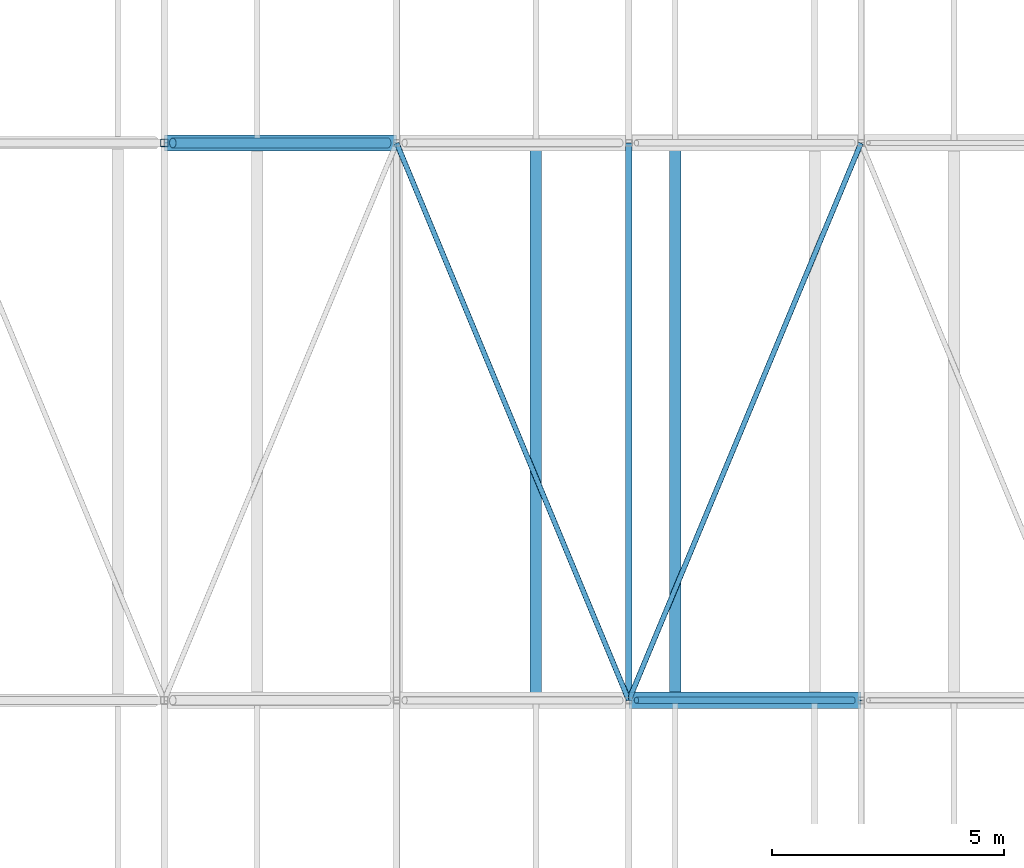
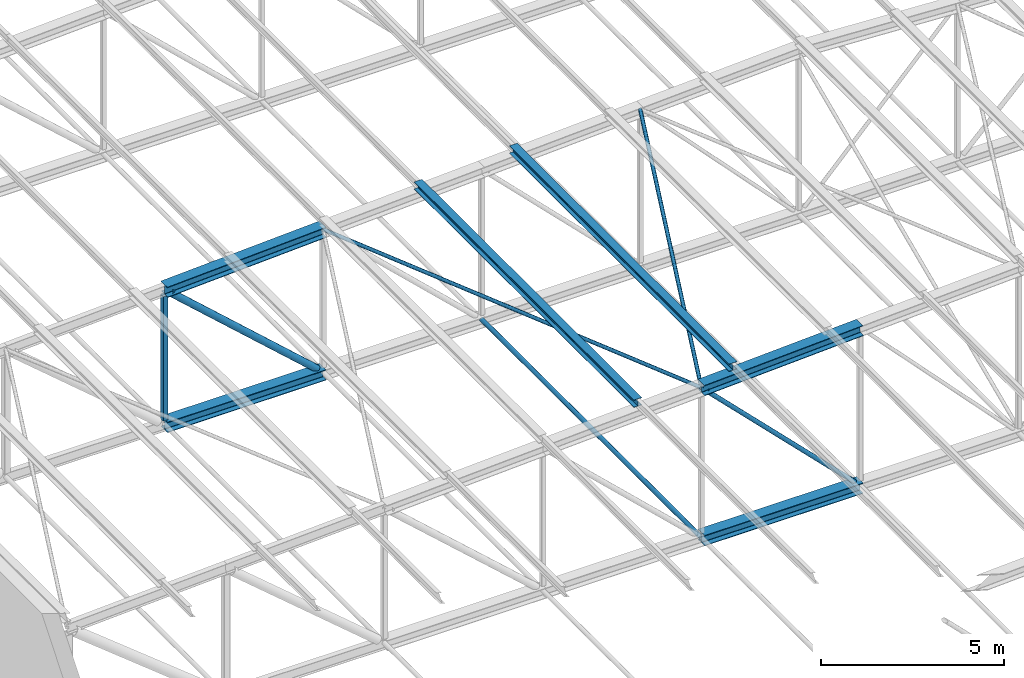
# One storey, part 97 of 156: 12 members.
"""IFC4 building model written with IfcOpenShell, lengths in metres."""

from ifc_helpers import new_model, si_unit, direction, frame, origin, origin_2d, place, context, subcontext, project, spatial, hollow_rectangle, hollow_circle, i_section, extrude, material, material_profile, profile_set, type_object, element, save


model = new_model("IFC4")

# Units and contexts
model_context = context("Model", 3, precision=1e-05, world=origin(), true_north=direction((0.0, 1.0)))
body_context = subcontext(model_context, "Body", "Model", "MODEL_VIEW")
ifc_project = project(units=[si_unit("LENGTHUNIT", "METRE"), si_unit("AREAUNIT", "SQUARE_METRE"), si_unit("VOLUMEUNIT", "CUBIC_METRE"), si_unit("PLANEANGLEUNIT", "RADIAN"), si_unit("MASSUNIT", "GRAM", prefix="KILO")], contexts=[model_context])

# Site, building, storey
site_placement = place(None, origin())
site = spatial("IfcSite", under=ifc_project, at=site_placement, CompositionType="ELEMENT")
building_placement = place(site_placement, origin())
building = spatial("IfcBuilding", under=site, at=building_placement, Name="Lilac Gate Convention Centre", CompositionType="ELEMENT")
storey_placement = place(building_placement, frame((0.0, 0.0, 17.0)))
storey = spatial("IfcBuildingStorey", under=building, at=storey_placement, Name="L03", CompositionType="ELEMENT", Elevation=17.0)

# Members
ifc_material = material(Name="Steel Q355B", Category="steel")
ifc_material_profile_1 = material_profile(ifc_material, hollow_circle(Radius=0.06982421875, WallThickness=0.0048828125, at=origin_2d()), Name="CHS139.7x5")
ifc_profile_set_1 = profile_set([ifc_material_profile_1], Name="Steel Q355B")
member_type_1 = type_object("IfcMemberType", Name="Bottom chord tie CHS139.7x5", PredefinedType="STRUT", material=ifc_profile_set_1)
member_1_placement = place(storey_placement, frame((50.0, 174.006103515625, 0.0), z_axis=(0.0, 1.0, 0.0), x_axis=(-1.0, 0.0, 0.0)))
element("IfcMember", 1, at=member_1_placement, inside=storey, type_object=member_type_1, Name="ST1 tie bay 13 node 5", PredefinedType="STRUT", context=body_context, shape_type="SweptSolid", body=[
    extrude(hollow_circle(Radius=0.06982421875, WallThickness=0.0048828125, at=origin_2d()), origin(), (0.0, 0.0, 1.0), 11.98779296875),
])
ifc_material_profile_2 = material_profile(ifc_material, hollow_circle(Radius=0.05712890625, WallThickness=0.0048828125, at=origin_2d()), Name="CHS114.3x5")
ifc_profile_set_2 = profile_set([ifc_material_profile_2], Name="Steel Q355B")
member_type_2 = type_object("IfcMemberType", Name="Roof plane bracing CHS114.3x5", PredefinedType="BRACE", material=ifc_profile_set_2)
for number, where, z_axis, x_axis, name in (
    (2, (45.00244140625, 185.993896484375, 4.75), (0.384557486582, -0.922900376645, 0.019246669905), (0.923071361129, 0.384628733019, 0.0), "BR1 plan bracing bay 13 panel 4"),
    (3, (50.00244140625, 174.006103515625, 5.0), (0.384557486582, 0.922900376645, 0.019246669905), (-0.923071361129, 0.384628733019, 0.0), "BR1 plan bracing bay 13 panel 5"),
):
    element("IfcMember", number, at=place(storey_placement, frame(where, z_axis=z_axis, x_axis=x_axis)), inside=storey, type_object=member_type_2, Name=name, PredefinedType="BRACE", context=body_context, shape_type="SweptSolid", body=[
        extrude(hollow_circle(Radius=0.05712890625, WallThickness=0.0048828125, at=origin_2d()), origin(), (0.0, 0.0, 1.0), 12.9892578125),
    ])
ifc_material_profile_3 = material_profile(ifc_material, i_section(OverallWidth=0.25, OverallDepth=0.25, WebThickness=0.009033203125, FlangeThickness=0.013916015625, FilletRadius=0.012939453125, at=origin_2d()), Name="HW250x250x9x14")
ifc_profile_set_3 = profile_set([ifc_material_profile_3], Name="Steel Q355B")
member_type_3 = type_object("IfcMemberType", Name="Roof purlin HW250x250x9x14", PredefinedType="PURLIN", material=ifc_profile_set_3)
for number, where, z_axis, x_axis, name in (
    (4, (48.0, 174.0, 5.2001953125), (0.0, 1.0, 0.0), (-1.0, 0.0, 0.0), "PU1 purlin bay 13 line 7"),
    (5, (51.0, 174.0, 5.35009765625), (0.0, 1.0, 0.0), (-1.0, 0.0, 0.0), "PU1 purlin bay 13 line 8"),
):
    element("IfcMember", number, at=place(storey_placement, frame(where, z_axis=z_axis, x_axis=x_axis)), inside=storey, type_object=member_type_3, Name=name, PredefinedType="PURLIN", context=body_context, shape_type="SweptSolid", body=[
        extrude(i_section(OverallWidth=0.25, OverallDepth=0.25, WebThickness=0.009033203125, FlangeThickness=0.013916015625, FilletRadius=0.012939453125, at=origin_2d()), origin(), (0.0, 0.0, 1.0), 12.0),
    ])
ifc_material_profile_4 = material_profile(ifc_material, i_section(OverallWidth=0.35009765625, OverallDepth=0.35009765625, WebThickness=0.011962890625, FlangeThickness=0.01904296875, FilletRadius=0.012939453125, at=origin_2d()), Name="HW350x350x12x19")
ifc_profile_set_4 = profile_set([ifc_material_profile_4], Name="Steel Q355B")
member_type_4 = type_object("IfcMemberType", Name="Truss bottom chord HW350x350x12x19", PredefinedType="CHORD", material=ifc_profile_set_4)
member_2_placement = place(storey_placement, frame((40.0, 186.0, 0.0), z_axis=(1.0, 0.0, 0.0), x_axis=(0.0, 1.0, 0.0)))
element("IfcMember", 6, at=member_2_placement, inside=storey, type_object=member_type_4, Name="TB2 truss 14 bottom chord 3", PredefinedType="CHORD", context=body_context, shape_type="SweptSolid", body=[
    extrude(i_section(OverallWidth=0.35009765625, OverallDepth=0.35009765625, WebThickness=0.011962890625, FlangeThickness=0.01904296875, FilletRadius=0.012939453125, at=origin_2d()), origin(), (0.0, 0.0, 1.0), 5.0),
])
ifc_material_profile_5 = material_profile(ifc_material, i_section(OverallWidth=0.35693359375, OverallDepth=0.35009765625, WebThickness=0.01904296875, FlangeThickness=0.01904296875, FilletRadius=0.012939453125, at=origin_2d()), Name="HW350x357x19x19")
ifc_profile_set_5 = profile_set([ifc_material_profile_5], Name="Steel Q355B")
member_type_5 = type_object("IfcMemberType", Name="Truss bottom chord HW350x357x19x19", PredefinedType="CHORD", material=ifc_profile_set_5)
member_3_placement = place(storey_placement, frame((50.0, 174.0, 0.0), z_axis=(1.0, 0.0, 0.0), x_axis=(0.0, 1.0, 0.0)))
element("IfcMember", 7, at=member_3_placement, inside=storey, type_object=member_type_5, Name="TB3 truss 13 bottom chord 5", PredefinedType="CHORD", context=body_context, shape_type="SweptSolid", body=[
    extrude(i_section(OverallWidth=0.35693359375, OverallDepth=0.35009765625, WebThickness=0.01904296875, FlangeThickness=0.01904296875, FilletRadius=0.012939453125, at=origin_2d()), origin(), (0.0, 0.0, 1.0), 5.0),
])
ifc_material_profile_6 = material_profile(ifc_material, hollow_circle(Radius=0.06982421875, WallThickness=0.006103515625, at=origin_2d()), Name="CHS139.7x6")
ifc_profile_set_6 = profile_set([ifc_material_profile_6], Name="Steel Q355B")
member_type_6 = type_object("IfcMemberType", Name="Truss diagonal CHS139.7x6", PredefinedType="BRACE", material=ifc_profile_set_6)
member_4_placement = place(storey_placement, frame((50.164306640625, 174.0, 4.835693359375), z_axis=(0.707106781187, 0.0, -0.707106781187), x_axis=(0.0, 1.0, 0.0)))
element("IfcMember", 8, at=member_4_placement, inside=storey, type_object=member_type_6, Name="TW5 truss 13 diagonal 5", PredefinedType="BRACE", context=body_context, shape_type="SweptSolid", body=[
    extrude(hollow_circle(Radius=0.06982421875, WallThickness=0.006103515625, at=origin_2d()), origin(), (0.0, 0.0, 1.0), 6.591064453125),
])
ifc_material_profile_7 = material_profile(ifc_material, hollow_circle(Radius=0.109619140625, WallThickness=0.008056640625, at=origin_2d()), Name="CHS219.1x8")
ifc_profile_set_7 = profile_set([ifc_material_profile_7], Name="Steel Q355B")
member_type_7 = type_object("IfcMemberType", Name="Truss diagonal CHS219.1x8", PredefinedType="BRACE", material=ifc_profile_set_7)
member_5_placement = place(storey_placement, frame((40.1826171875, 186.0, 4.335693359375), z_axis=(0.743301953498, 0.0, -0.668956056797), x_axis=(0.0, 1.0, 0.0)))
element("IfcMember", 9, at=member_5_placement, inside=storey, type_object=member_type_7, Name="TW3 truss 14 diagonal 3", PredefinedType="BRACE", context=body_context, shape_type="SweptSolid", body=[
    extrude(hollow_circle(Radius=0.109619140625, WallThickness=0.008056640625, at=origin_2d()), origin(), (0.0, 0.0, 1.0), 6.2197265625),
])
ifc_material_profile_8 = material_profile(ifc_material, i_section(OverallWidth=0.35009765625, OverallDepth=0.35009765625, WebThickness=0.011962890625, FlangeThickness=0.01904296875, FilletRadius=0.012939453125, at=origin_2d()), Name="HW350x350x12x19")
ifc_profile_set_8 = profile_set([ifc_material_profile_8], Name="Steel Q355B")
member_type_8 = type_object("IfcMemberType", Name="Truss top chord HW350x350x12x19", PredefinedType="CHORD", material=ifc_profile_set_8)
for number, where, z_axis, x_axis, name in (
    (10, (50.0, 174.0, 5.0), (0.998752338878, 0.0, 0.049937616944), (0.0, 1.0, 0.0), "TT2 truss 13 top chord 5"),
    (11, (40.0, 186.0, 4.5), (0.998752338878, 0.0, 0.049937616944), (0.0, 1.0, 0.0), "TT2 truss 14 top chord 3"),
):
    element("IfcMember", number, at=place(storey_placement, frame(where, z_axis=z_axis, x_axis=x_axis)), inside=storey, type_object=member_type_8, Name=name, PredefinedType="CHORD", context=body_context, shape_type="SweptSolid", body=[
        extrude(i_section(OverallWidth=0.35009765625, OverallDepth=0.35009765625, WebThickness=0.011962890625, FlangeThickness=0.01904296875, FilletRadius=0.012939453125, at=origin_2d()), origin(), (0.0, 0.0, 1.0), 5.00634765625),
    ])
ifc_material_profile_9 = material_profile(ifc_material, hollow_rectangle(XDim=0.159912109375, YDim=0.159912109375, WallThickness=0.006103515625, InnerFilletRadius=0.006103515625, OuterFilletRadius=0.011962890625, at=origin_2d()), Name="SHS160x160x6")
ifc_profile_set_9 = profile_set([ifc_material_profile_9], Name="Steel Q355B")
member_type_9 = type_object("IfcMemberType", Name="Truss vertical SHS160x160x6", PredefinedType="STRUT", material=ifc_profile_set_9)
member_6_placement = place(storey_placement, frame((40.0, 186.0, 0.175048828125), z_axis=(0.0, 0.0, 1.0), x_axis=(1.0, 0.0, 0.0)))
element("IfcMember", 12, at=member_6_placement, inside=storey, type_object=member_type_9, Name="TV3 truss 14 vertical 3", PredefinedType="STRUT", context=body_context, shape_type="SweptSolid", body=[
    extrude(hollow_rectangle(XDim=0.159912109375, YDim=0.159912109375, WallThickness=0.006103515625, InnerFilletRadius=0.006103515625, OuterFilletRadius=0.011962890625, at=origin_2d()), origin(), (0.0, 0.0, 1.0), 4.149658203125),
])

save(model, "model.ifc")
